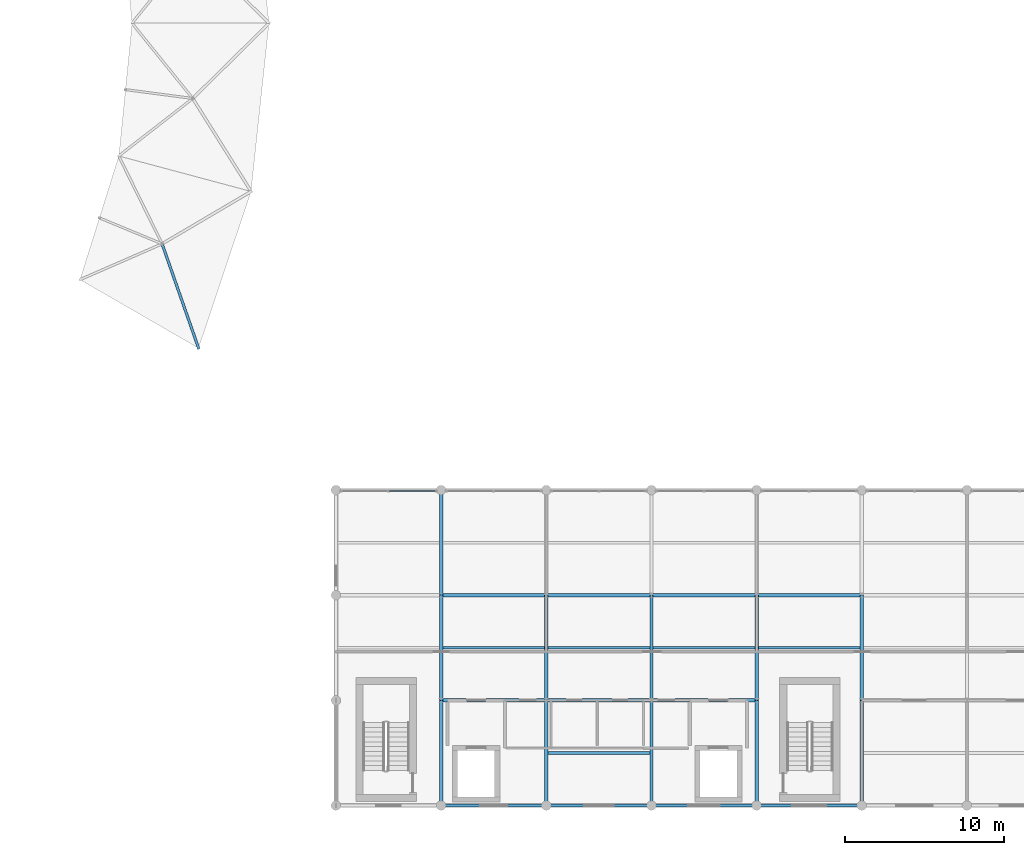
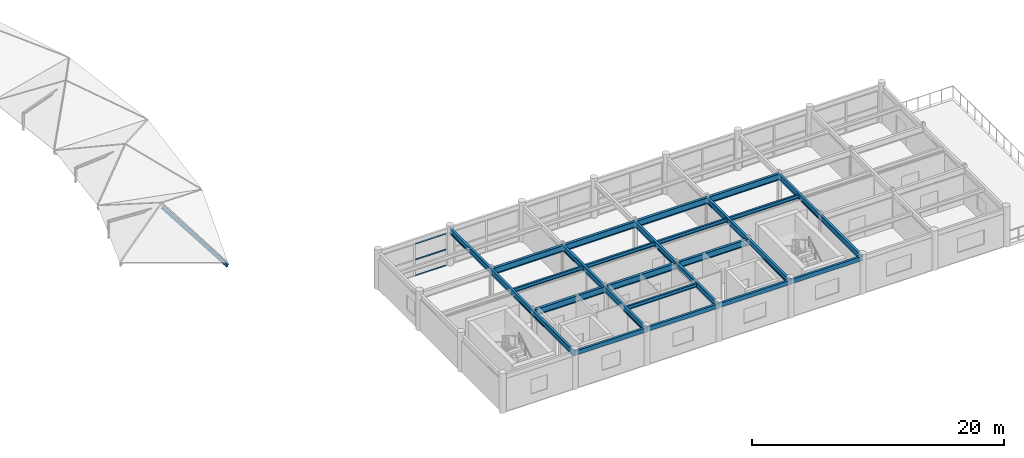
# One storey, part 6 of 28: 27 beams, 4 members, 1 element without a shape of its own.
"""IFC4 building model written with IfcOpenShell, lengths in metres."""

from ifc_helpers import new_model, si_unit, direction, frame, origin, origin_2d, place, context, subcontext, project, spatial, hollow_rectangle, i_section, extrude, material, material_profile, profile_set, type_object, element, aggregate, save


model = new_model("IFC4")

# Units and contexts
model_context = context("Model", 3, precision=1e-05, world=origin(), true_north=direction((0.0, 1.0)))
body_context = subcontext(model_context, "Body", "Model", "MODEL_VIEW")
ifc_project = project(units=[si_unit("LENGTHUNIT", "METRE"), si_unit("AREAUNIT", "SQUARE_METRE"), si_unit("VOLUMEUNIT", "CUBIC_METRE"), si_unit("PLANEANGLEUNIT", "RADIAN"), si_unit("MASSUNIT", "GRAM", prefix="KILO")], contexts=[model_context])

# Site, building, storey
site_placement = place(None, origin())
site = spatial("IfcSite", under=ifc_project, at=site_placement, CompositionType="ELEMENT")
building_placement = place(site_placement, origin())
building = spatial("IfcBuilding", under=site, at=building_placement, Name="Karori Crest Natural Sciences Institute", CompositionType="ELEMENT")
storey_placement = place(building_placement, frame((0.0, 0.0, 34.300048828125)))
storey = spatial("IfcBuildingStorey", under=building, at=storey_placement, Name="L08", CompositionType="ELEMENT", Elevation=34.300048828125)

# Beams
ifc_material_1 = material(Name="Structural steel AS/NZS 3679.1 Grade 350", Category="steel")
ifc_material_profile_1 = material_profile(ifc_material_1, i_section(OverallWidth=0.22900390625, OverallDepth=0.612060546875, WebThickness=0.011962890625, FlangeThickness=0.01953125, FilletRadius=0.013916015625, at=origin_2d()), Name="610UB125")
ifc_profile_set_1 = profile_set([ifc_material_profile_1], Name="Structural steel AS/NZS 3679.1 Grade 350")
beam_type_1 = type_object("IfcBeamType", Name="BT-04", PredefinedType="BEAM", material=ifc_profile_set_1)
beam_1_placement = place(storey_placement, frame((110.199951171875, 7.39990234375, 3.263916015625), z_axis=(1.0, 0.0, 0.0), x_axis=(0.0, 1.0, 0.0)))
element("IfcBeam", 1, at=beam_1_placement, inside=storey, type_object=beam_type_1, Name="Beam B-2702", PredefinedType="BEAM", context=body_context, shape_type="SweptSolid", body=[
    extrude(i_section(OverallWidth=0.22900390625, OverallDepth=0.612060546875, WebThickness=0.011962890625, FlangeThickness=0.01953125, FilletRadius=0.013916015625, at=origin_2d()), origin(), (0.0, 0.0, 1.0), 6.60009765625),
])
beam_2_placement = place(storey_placement, frame((116.800048828125, 7.39990234375, 3.263916015625), z_axis=(1.0, 0.0, 0.0), x_axis=(0.0, 1.0, 0.0)))
element("IfcBeam", 2, at=beam_2_placement, inside=storey, type_object=beam_type_1, Name="Beam B-2703", PredefinedType="BEAM", context=body_context, shape_type="SweptSolid", body=[
    extrude(i_section(OverallWidth=0.22900390625, OverallDepth=0.612060546875, WebThickness=0.011962890625, FlangeThickness=0.01953125, FilletRadius=0.013916015625, at=origin_2d()), origin(), (0.0, 0.0, 1.0), 6.599853515625),
])
for number, where, z_axis, x_axis, name in (
    (3, (123.39990234375, 7.39990234375, 3.263916015625), (1.0, 0.0, 0.0), (0.0, 1.0, 0.0), "Beam B-2704"),
    (4, (110.199951171875, 14.0, 3.263916015625), (1.0, 0.0, 0.0), (0.0, 1.0, 0.0), "Beam B-2708"),
):
    element("IfcBeam", number, at=place(storey_placement, frame(where, z_axis=z_axis, x_axis=x_axis)), inside=storey, type_object=beam_type_1, Name=name, PredefinedType="BEAM", context=body_context, shape_type="SweptSolid", body=[
        extrude(i_section(OverallWidth=0.22900390625, OverallDepth=0.612060546875, WebThickness=0.011962890625, FlangeThickness=0.01953125, FilletRadius=0.013916015625, at=origin_2d()), origin(), (0.0, 0.0, 1.0), 6.60009765625),
    ])
beam_3_placement = place(storey_placement, frame((116.800048828125, 14.0, 3.263916015625), z_axis=(1.0, 0.0, 0.0), x_axis=(0.0, 1.0, 0.0)))
element("IfcBeam", 5, at=beam_3_placement, inside=storey, type_object=beam_type_1, Name="Beam B-2709", PredefinedType="BEAM", context=body_context, shape_type="SweptSolid", body=[
    extrude(i_section(OverallWidth=0.22900390625, OverallDepth=0.612060546875, WebThickness=0.011962890625, FlangeThickness=0.01953125, FilletRadius=0.013916015625, at=origin_2d()), origin(), (0.0, 0.0, 1.0), 6.599853515625),
])
for number, where, z_axis, x_axis, name in (
    (6, (123.39990234375, 14.0, 3.263916015625), (1.0, 0.0, 0.0), (0.0, 1.0, 0.0), "Beam B-2710"),
    (7, (130.0, 14.0, 3.263916015625), (1.0, 0.0, 0.0), (0.0, 1.0, 0.0), "Beam B-2711"),
):
    element("IfcBeam", number, at=place(storey_placement, frame(where, z_axis=z_axis, x_axis=x_axis)), inside=storey, type_object=beam_type_1, Name=name, PredefinedType="BEAM", context=body_context, shape_type="SweptSolid", body=[
        extrude(i_section(OverallWidth=0.22900390625, OverallDepth=0.612060546875, WebThickness=0.011962890625, FlangeThickness=0.01953125, FilletRadius=0.013916015625, at=origin_2d()), origin(), (0.0, 0.0, 1.0), 6.60009765625),
    ])
ifc_material_profile_2 = material_profile(ifc_material_1, i_section(OverallWidth=0.208984375, OverallDepth=0.532958984375, WebThickness=0.01025390625, FlangeThickness=0.015625, FilletRadius=0.013916015625, at=origin_2d()), Name="530UB92.4")
ifc_profile_set_2 = profile_set([ifc_material_profile_2], Name="Structural steel AS/NZS 3679.1 Grade 350")
beam_type_2 = type_object("IfcBeamType", Name="BT-05", PredefinedType="BEAM", material=ifc_profile_set_2)
beam_4_placement = place(storey_placement, frame((110.199951171875, 0.800048828125, 3.303466796875), z_axis=(0.0, 1.0, 0.0), x_axis=(-1.0, 0.0, 0.0)))
element("IfcBeam", 8, at=beam_4_placement, inside=storey, type_object=beam_type_2, Name="Beam B-2724", PredefinedType="BEAM", context=body_context, shape_type="SweptSolid", body=[
    extrude(i_section(OverallWidth=0.208984375, OverallDepth=0.532958984375, WebThickness=0.01025390625, FlangeThickness=0.015625, FilletRadius=0.013916015625, at=origin_2d()), origin(), (0.0, 0.0, 1.0), 6.599853515625),
])
for number, where, z_axis, x_axis, name in (
    (9, (110.199951171875, 7.39990234375, 3.303466796875), (0.0, 1.0, 0.0), (-1.0, 0.0, 0.0), "Beam B-2725"),
    (10, (110.199951171875, 14.0, 3.303466796875), (0.0, 1.0, 0.0), (-1.0, 0.0, 0.0), "Beam B-2726"),
):
    element("IfcBeam", number, at=place(storey_placement, frame(where, z_axis=z_axis, x_axis=x_axis)), inside=storey, type_object=beam_type_2, Name=name, PredefinedType="BEAM", context=body_context, shape_type="SweptSolid", body=[
        extrude(i_section(OverallWidth=0.208984375, OverallDepth=0.532958984375, WebThickness=0.01025390625, FlangeThickness=0.015625, FilletRadius=0.013916015625, at=origin_2d()), origin(), (0.0, 0.0, 1.0), 6.60009765625),
    ])
beam_5_placement = place(storey_placement, frame((116.800048828125, 0.800048828125, 3.303466796875), z_axis=(0.0, 1.0, 0.0), x_axis=(-1.0, 0.0, 0.0)))
element("IfcBeam", 11, at=beam_5_placement, inside=storey, type_object=beam_type_2, Name="Beam B-2727", PredefinedType="BEAM", context=body_context, shape_type="SweptSolid", body=[
    extrude(i_section(OverallWidth=0.208984375, OverallDepth=0.532958984375, WebThickness=0.01025390625, FlangeThickness=0.015625, FilletRadius=0.013916015625, at=origin_2d()), origin(), (0.0, 0.0, 1.0), 6.599853515625),
])
beam_6_placement = place(storey_placement, frame((116.800048828125, 7.39990234375, 3.303466796875), z_axis=(0.0, 1.0, 0.0), x_axis=(-1.0, 0.0, 0.0)))
element("IfcBeam", 12, at=beam_6_placement, inside=storey, type_object=beam_type_2, Name="Beam B-2728", PredefinedType="BEAM", context=body_context, shape_type="SweptSolid", body=[
    extrude(i_section(OverallWidth=0.208984375, OverallDepth=0.532958984375, WebThickness=0.01025390625, FlangeThickness=0.015625, FilletRadius=0.013916015625, at=origin_2d()), origin(), (0.0, 0.0, 1.0), 6.60009765625),
])
beam_7_placement = place(storey_placement, frame((123.39990234375, 0.800048828125, 3.303466796875), z_axis=(0.0, 1.0, 0.0), x_axis=(-1.0, 0.0, 0.0)))
element("IfcBeam", 13, at=beam_7_placement, inside=storey, type_object=beam_type_2, Name="Beam B-2730", PredefinedType="BEAM", context=body_context, shape_type="SweptSolid", body=[
    extrude(i_section(OverallWidth=0.208984375, OverallDepth=0.532958984375, WebThickness=0.01025390625, FlangeThickness=0.015625, FilletRadius=0.013916015625, at=origin_2d()), origin(), (0.0, 0.0, 1.0), 6.599853515625),
])
beam_8_placement = place(storey_placement, frame((123.39990234375, 7.39990234375, 3.303466796875), z_axis=(0.0, 1.0, 0.0), x_axis=(-1.0, 0.0, 0.0)))
element("IfcBeam", 14, at=beam_8_placement, inside=storey, type_object=beam_type_2, Name="Beam B-2731", PredefinedType="BEAM", context=body_context, shape_type="SweptSolid", body=[
    extrude(i_section(OverallWidth=0.208984375, OverallDepth=0.532958984375, WebThickness=0.01025390625, FlangeThickness=0.015625, FilletRadius=0.013916015625, at=origin_2d()), origin(), (0.0, 0.0, 1.0), 6.60009765625),
])
beam_9_placement = place(storey_placement, frame((130.0, 0.800048828125, 3.303466796875), z_axis=(0.0, 1.0, 0.0), x_axis=(-1.0, 0.0, 0.0)))
element("IfcBeam", 15, at=beam_9_placement, inside=storey, type_object=beam_type_2, Name="Beam B-2733", PredefinedType="BEAM", context=body_context, shape_type="SweptSolid", body=[
    extrude(i_section(OverallWidth=0.208984375, OverallDepth=0.532958984375, WebThickness=0.01025390625, FlangeThickness=0.015625, FilletRadius=0.013916015625, at=origin_2d()), origin(), (0.0, 0.0, 1.0), 6.599853515625),
])
beam_10_placement = place(storey_placement, frame((130.0, 7.39990234375, 3.303466796875), z_axis=(0.0, 1.0, 0.0), x_axis=(-1.0, 0.0, 0.0)))
element("IfcBeam", 16, at=beam_10_placement, inside=storey, type_object=beam_type_2, Name="Beam B-2734", PredefinedType="BEAM", context=body_context, shape_type="SweptSolid", body=[
    extrude(i_section(OverallWidth=0.208984375, OverallDepth=0.532958984375, WebThickness=0.01025390625, FlangeThickness=0.015625, FilletRadius=0.013916015625, at=origin_2d()), origin(), (0.0, 0.0, 1.0), 6.60009765625),
])
beam_11_placement = place(storey_placement, frame((136.60009765625, 0.800048828125, 3.303466796875), z_axis=(0.0, 1.0, 0.0), x_axis=(-1.0, 0.0, 0.0)))
element("IfcBeam", 17, at=beam_11_placement, inside=storey, type_object=beam_type_2, Name="Beam B-2736", PredefinedType="BEAM", context=body_context, shape_type="SweptSolid", body=[
    extrude(i_section(OverallWidth=0.208984375, OverallDepth=0.532958984375, WebThickness=0.01025390625, FlangeThickness=0.015625, FilletRadius=0.013916015625, at=origin_2d()), origin(), (0.0, 0.0, 1.0), 6.599853515625),
])
beam_12_placement = place(storey_placement, frame((136.60009765625, 7.39990234375, 3.303466796875), z_axis=(0.0, 1.0, 0.0), x_axis=(-1.0, 0.0, 0.0)))
element("IfcBeam", 18, at=beam_12_placement, inside=storey, type_object=beam_type_2, Name="Beam B-2737", PredefinedType="BEAM", context=body_context, shape_type="SweptSolid", body=[
    extrude(i_section(OverallWidth=0.208984375, OverallDepth=0.532958984375, WebThickness=0.01025390625, FlangeThickness=0.015625, FilletRadius=0.013916015625, at=origin_2d()), origin(), (0.0, 0.0, 1.0), 6.60009765625),
])
ifc_material_profile_3 = material_profile(ifc_material_1, i_section(OverallWidth=0.172119140625, OverallDepth=0.35888671875, WebThickness=0.008056640625, FlangeThickness=0.012939453125, FilletRadius=0.010986328125, at=origin_2d()), Name="360UB56.7")
ifc_profile_set_3 = profile_set([ifc_material_profile_3], Name="Structural steel AS/NZS 3679.1 Grade 350")
beam_type_3 = type_object("IfcBeamType", Name="BT-08", PredefinedType="BEAM", material=ifc_profile_set_3)
beam_13_placement = place(storey_placement, frame((110.304443359375, 10.699951171875, 3.390380859375), z_axis=(1.0, 0.0, 0.0), x_axis=(0.0, 1.0, 0.0)))
element("IfcBeam", 19, at=beam_13_placement, inside=storey, type_object=beam_type_3, Name="Beam B-2747", PredefinedType="BEAM", context=body_context, shape_type="SweptSolid", body=[
    extrude(i_section(OverallWidth=0.172119140625, OverallDepth=0.35888671875, WebThickness=0.008056640625, FlangeThickness=0.012939453125, FilletRadius=0.010986328125, at=origin_2d()), origin(), (0.0, 0.0, 1.0), 6.39111328125),
])
for number, where, z_axis, x_axis, name in (
    (20, (116.904541015625, 4.10009765625, 3.390380859375), (1.0, 0.0, 0.0), (0.0, 1.0, 0.0), "Beam B-2749"),
    (21, (116.904541015625, 10.699951171875, 3.390380859375), (1.0, 0.0, 0.0), (0.0, 1.0, 0.0), "Beam B-2750"),
):
    element("IfcBeam", number, at=place(storey_placement, frame(where, z_axis=z_axis, x_axis=x_axis)), inside=storey, type_object=beam_type_3, Name=name, PredefinedType="BEAM", context=body_context, shape_type="SweptSolid", body=[
        extrude(i_section(OverallWidth=0.172119140625, OverallDepth=0.35888671875, WebThickness=0.008056640625, FlangeThickness=0.012939453125, FilletRadius=0.010986328125, at=origin_2d()), origin(), (0.0, 0.0, 1.0), 6.390869140625),
    ])
for number, where, z_axis, x_axis, name in (
    (22, (123.50439453125, 10.699951171875, 3.390380859375), (1.0, 0.0, 0.0), (0.0, 1.0, 0.0), "Beam B-2752"),
    (23, (130.1044921875, 10.699951171875, 3.390380859375), (1.0, 0.0, 0.0), (0.0, 1.0, 0.0), "Beam B-2754"),
):
    element("IfcBeam", number, at=place(storey_placement, frame(where, z_axis=z_axis, x_axis=x_axis)), inside=storey, type_object=beam_type_3, Name=name, PredefinedType="BEAM", context=body_context, shape_type="SweptSolid", body=[
        extrude(i_section(OverallWidth=0.172119140625, OverallDepth=0.35888671875, WebThickness=0.008056640625, FlangeThickness=0.012939453125, FilletRadius=0.010986328125, at=origin_2d()), origin(), (0.0, 0.0, 1.0), 6.39111328125),
    ])
ifc_material_2 = material(Name="Hollow structural steel AS/NZS 1163 Grade C350", Category="steel")
ifc_material_profile_4 = material_profile(ifc_material_2, hollow_rectangle(XDim=0.199951171875, YDim=0.39990234375, WallThickness=0.012451171875, at=origin_2d()), Name="RHS400x200x12.5")
ifc_profile_set_4 = profile_set([ifc_material_profile_4], Name="Hollow structural steel AS/NZS 1163 Grade C350")
beam_type_4 = type_object("IfcBeamType", Name="BT-14", PredefinedType="SPANDREL", material=ifc_profile_set_4)
beam_14_placement = place(storey_placement, frame((110.199951171875, 0.800048828125, 3.369873046875), z_axis=(1.0, 0.0, 0.0), x_axis=(0.0, 1.0, 0.0)))
element("IfcBeam", 24, at=beam_14_placement, inside=storey, type_object=beam_type_4, Name="Beam B-2696", PredefinedType="SPANDREL", context=body_context, shape_type="SweptSolid", body=[
    extrude(hollow_rectangle(XDim=0.199951171875, YDim=0.39990234375, WallThickness=0.012451171875, at=origin_2d()), origin(), (0.0, 0.0, 1.0), 6.60009765625),
])
beam_15_placement = place(storey_placement, frame((116.800048828125, 0.800048828125, 3.369873046875), z_axis=(1.0, 0.0, 0.0), x_axis=(0.0, 1.0, 0.0)))
element("IfcBeam", 25, at=beam_15_placement, inside=storey, type_object=beam_type_4, Name="Beam B-2697", PredefinedType="SPANDREL", context=body_context, shape_type="SweptSolid", body=[
    extrude(hollow_rectangle(XDim=0.199951171875, YDim=0.39990234375, WallThickness=0.012451171875, at=origin_2d()), origin(), (0.0, 0.0, 1.0), 6.599853515625),
])
for number, where, z_axis, x_axis, name in (
    (26, (123.39990234375, 0.800048828125, 3.369873046875), (1.0, 0.0, 0.0), (0.0, 1.0, 0.0), "Beam B-2698"),
    (27, (130.0, 0.800048828125, 3.369873046875), (1.0, 0.0, 0.0), (0.0, 1.0, 0.0), "Beam B-2699"),
):
    element("IfcBeam", number, at=place(storey_placement, frame(where, z_axis=z_axis, x_axis=x_axis)), inside=storey, type_object=beam_type_4, Name=name, PredefinedType="SPANDREL", context=body_context, shape_type="SweptSolid", body=[
        extrude(hollow_rectangle(XDim=0.199951171875, YDim=0.39990234375, WallThickness=0.012451171875, at=origin_2d()), origin(), (0.0, 0.0, 1.0), 6.60009765625),
    ])

# Curtain wall, members
ifc_material_3 = material(Name="Anodised architectural aluminium 6063-T6", Category="aluminium")
curtain_wall_type = type_object("IfcCurtainWallType", Name="CWT-20", PredefinedType="NOTDEFINED", material=ifc_material_3)
curtain_wall_placement = place(storey_placement, origin())
curtain_wall = element("IfcCurtainWall", 28, at=curtain_wall_placement, inside=storey, type_object=curtain_wall_type, Name="Curtain wall CW-0365", PredefinedType="NOTDEFINED")
ifc_material_profile_5 = material_profile(ifc_material_3, hollow_rectangle(XDim=0.06005859375, YDim=0.1201171875, WallThickness=0.00390625, at=origin_2d()), Name="CWT120x60x4")
ifc_profile_set_5 = profile_set([ifc_material_profile_5], Name="Anodised architectural aluminium 6063-T6")
member_type_1 = type_object("IfcMemberType", Name="CWT-TR1", PredefinedType="USERDEFINED", material=ifc_profile_set_5)
member_1_placement = place(storey_placement, frame((106.9326171875, 20.5400390625, 0.030029296875), z_axis=(1.0, 0.0, 0.0), x_axis=(0.0, 1.0, 0.0)))
member_1 = element("IfcMember", 29, at=member_1_placement, type_object=member_type_1, Name="CW-0365 transom 2.1", ObjectType="TRANSOM", PredefinedType="USERDEFINED", context=body_context, shape_type="SweptSolid", body=[
    extrude(hollow_rectangle(XDim=0.06005859375, YDim=0.1201171875, WallThickness=0.00390625, at=origin_2d()), origin(), (0.0, 0.0, 1.0), 2.904296875),
])
member_2_placement = place(storey_placement, frame((106.9326171875, 20.5400390625, 1.577392578125), z_axis=(1.0, 0.0, 0.0), x_axis=(0.0, 1.0, 0.0)))
member_2 = element("IfcMember", 30, at=member_2_placement, type_object=member_type_1, Name="CW-0365 transom 2.2", ObjectType="TRANSOM", PredefinedType="USERDEFINED", context=body_context, shape_type="SweptSolid", body=[
    extrude(hollow_rectangle(XDim=0.06005859375, YDim=0.1201171875, WallThickness=0.00390625, at=origin_2d()), origin(), (0.0, 0.0, 1.0), 2.904296875),
])
member_3_placement = place(storey_placement, frame((106.9326171875, 20.5400390625, 3.125), z_axis=(1.0, 0.0, 0.0), x_axis=(0.0, 1.0, 0.0)))
member_3 = element("IfcMember", 31, at=member_3_placement, type_object=member_type_1, Name="CW-0365 transom 2.3", ObjectType="TRANSOM", PredefinedType="USERDEFINED", context=body_context, shape_type="SweptSolid", body=[
    extrude(hollow_rectangle(XDim=0.06005859375, YDim=0.1201171875, WallThickness=0.00390625, at=origin_2d()), origin(), (0.0, 0.0, 1.0), 2.904296875),
])
aggregate(curtain_wall, [member_1, member_2, member_3])

# Member
ifc_material_profile_6 = material_profile(ifc_material_1, i_section(OverallWidth=0.166015625, OverallDepth=0.306884765625, WebThickness=0.006591796875, FlangeThickness=0.01171875, FilletRadius=0.010986328125, at=origin_2d()), Name="310UB46.2")
ifc_profile_set_6 = profile_set([ifc_material_profile_6], Name="Structural steel AS/NZS 3679.1 Grade 350")
member_type_2 = type_object("IfcMemberType", Name="MT-06", PredefinedType="RAFTER", material=ifc_profile_set_6)
member_4_placement = place(storey_placement, frame((94.978759765625, 29.5, -0.260009765625), z_axis=(-0.309446874133, 0.885194208226, 0.347381412589), x_axis=(-0.94398168513, -0.329997845657, 0.0)))
element("IfcMember", 32, at=member_4_placement, inside=storey, type_object=member_type_2, Name="Member M-0185", PredefinedType="RAFTER", context=body_context, shape_type="SweptSolid", body=[
    extrude(i_section(OverallWidth=0.166015625, OverallDepth=0.306884765625, WebThickness=0.006591796875, FlangeThickness=0.01171875, FilletRadius=0.010986328125, at=origin_2d()), origin(), (0.0, 0.0, 1.0), 7.401123046875),
])

save(model, "model.ifc")
